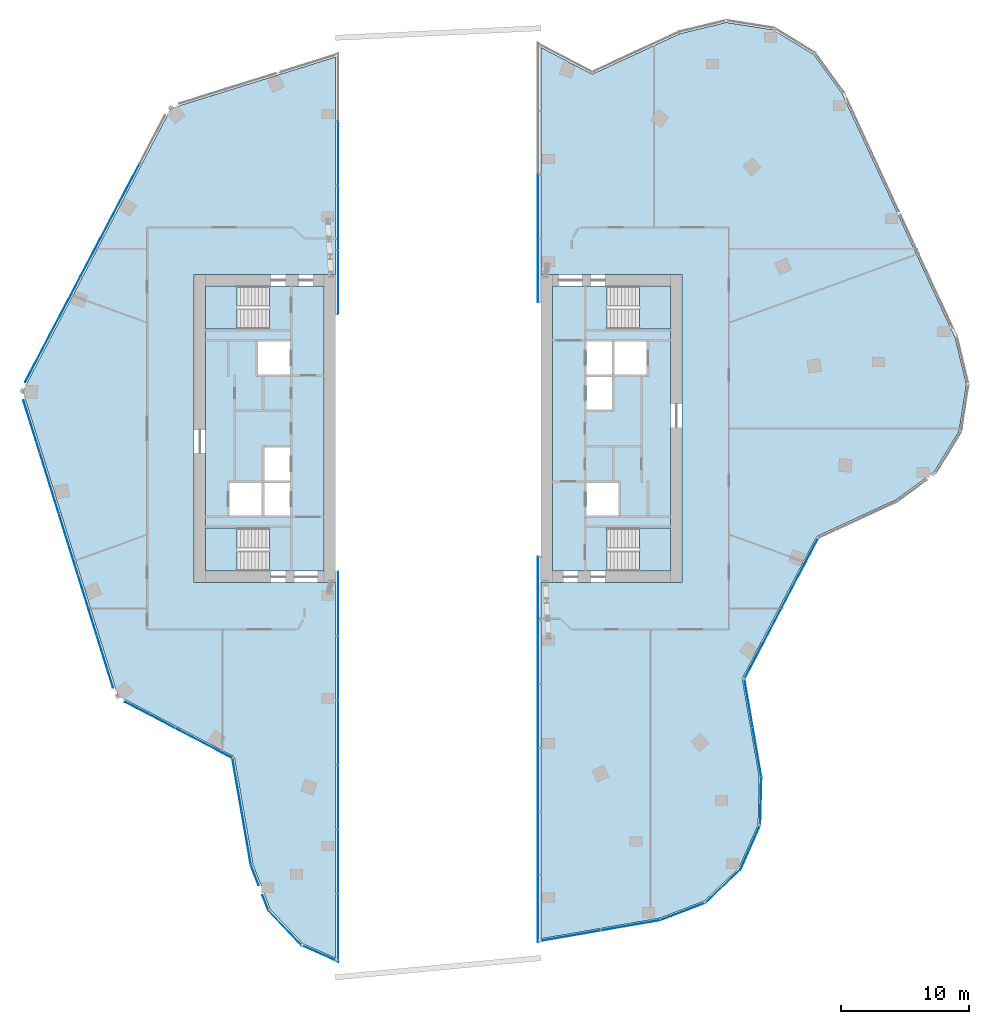
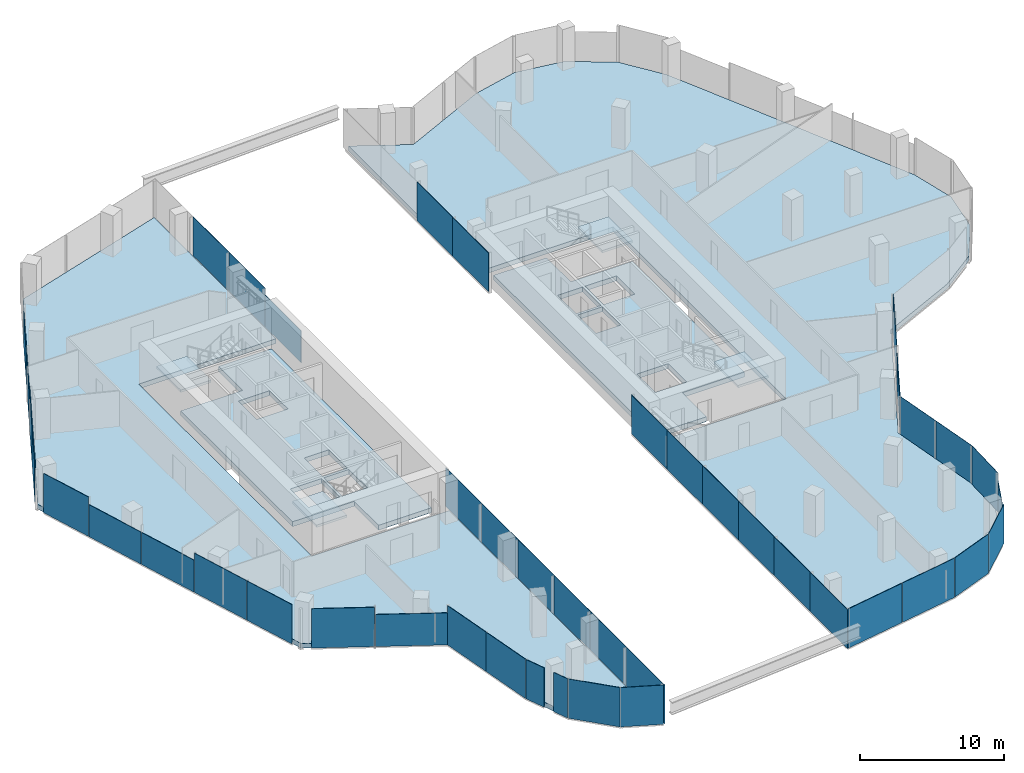
# One storey, part 18 of 24: 44 plates, 8 slabs, 20 elements without a shape of their own.
"""IFC4 building model written with IfcOpenShell, lengths in metres."""

import ifcopenshell
import ifcopenshell.guid

model = None  # the IFC model being written
_history = None  # IfcOwnerHistory: only IFC2X3 demands one
_inside = {}  # id of a spatial element -> (the spatial element, [elements in it])
_under = {}  # id of a project, library or spatial element -> (it, [spatial elements below it])
_declared = {}  # id of a project -> (the project, [libraries it declares])
_typed = {}  # id of a type object -> (the type object, [elements of that type])
_made_of = {}  # id of a material, layer set ... -> (it, [elements and type objects made of it])


def new_model(schema):
    """Start an empty IFC model of exactly this schema.

    Asked for "IFC4X3", IfcOpenShell would pick the latest addendum, in which some entities
    have other attributes; the version numbers below select the first issue.
    IFC2X3 requires an IfcOwnerHistory on every rooted entity: one is made here for all.
    """
    global model, _history
    if schema == "IFC4X3":
        model = ifcopenshell.file(schema_version=(4, 3, 0, 0))
    else:
        model = ifcopenshell.file(schema=schema)
    _inside.clear()
    _under.clear()
    _declared.clear()
    _typed.clear()
    _made_of.clear()
    _history = None
    if model.schema == "IFC2X3":
        org = make("IfcOrganization", Name="unknown")
        user = make(
            "IfcPersonAndOrganization",
            ThePerson=make("IfcPerson", FamilyName="unknown"),
            TheOrganization=org,
        )
        app = make(
            "IfcApplication",
            ApplicationDeveloper=org,
            Version="unknown",
            ApplicationFullName="unknown",
            ApplicationIdentifier="unknown",
        )
        _history = make(
            "IfcOwnerHistory",
            OwningUser=user,
            OwningApplication=app,
            ChangeAction="ADDED",
            CreationDate=0,
        )
    return model


def make(cls, **values):
    """One entity of the class cls with the attributes given. An attribute that is None is left unset."""
    return model.create_entity(
        cls, **{name: value for name, value in values.items() if value is not None}
    )


def rooted(cls, **values):
    """An entity with a GlobalId (a new one), such as an element, a storey or a relation."""
    return make(cls, GlobalId=ifcopenshell.guid.new(), OwnerHistory=_history, **values)


def si_unit(unit_type, name, prefix=None):
    """IfcSIUnit, for example si_unit("LENGTHUNIT", "METRE", prefix="MILLI")."""
    return make("IfcSIUnit", UnitType=unit_type, Prefix=prefix, Name=name)


def assignment(units):
    """IfcUnitAssignment: the units of a project."""
    return None if units is None else make("IfcUnitAssignment", Units=units)


def point(xyz):
    """IfcCartesianPoint."""
    return None if xyz is None else make("IfcCartesianPoint", Coordinates=xyz)


def direction(xyz):
    """IfcDirection."""
    return None if xyz is None else make("IfcDirection", DirectionRatios=xyz)


def frame(location, z_axis=None, x_axis=None):
    """IfcAxis2Placement3D, a coordinate frame: its origin and axes. An axis left out is left unset."""
    return make(
        "IfcAxis2Placement3D",
        Location=point(location),
        Axis=direction(z_axis),
        RefDirection=direction(x_axis),
    )


def frame_2d(location, x_axis=None):
    """IfcAxis2Placement2D, a coordinate frame in the plane: its origin and x axis."""
    return make(
        "IfcAxis2Placement2D", Location=point(location), RefDirection=direction(x_axis)
    )


def origin():
    """The frame at (0, 0, 0) with its axes left unset."""
    return frame((0.0, 0.0, 0.0))


def origin_2d():
    """The frame at (0, 0) in the plane with its x axis left unset."""
    return frame_2d((0.0, 0.0))


def place(relative_to, where):
    """IfcLocalPlacement: puts the frame where relative to a parent placement (None: the world)."""
    return make(
        "IfcLocalPlacement", PlacementRelTo=relative_to, RelativePlacement=where
    )


def context(
    kind, dimensions, precision=None, world=None, true_north=None, identifier=None
):
    """IfcGeometricRepresentationContext, for example the 3D "Model" context."""
    return make(
        "IfcGeometricRepresentationContext",
        ContextIdentifier=identifier,
        ContextType=kind,
        CoordinateSpaceDimension=dimensions,
        Precision=precision,
        WorldCoordinateSystem=world,
        TrueNorth=true_north,
    )


def subcontext(parent, identifier, kind, view, scale=None):
    """IfcGeometricRepresentationSubContext, for example "Body" below "Model"."""
    return make(
        "IfcGeometricRepresentationSubContext",
        ContextIdentifier=identifier,
        ContextType=kind,
        ParentContext=parent,
        TargetScale=scale,
        TargetView=view,
    )


def project(units=None, contexts=None):
    """IfcProject with its units and contexts."""
    return rooted(
        "IfcProject",
        Name="project",
        RepresentationContexts=contexts,
        UnitsInContext=assignment(units),
    )


def spatial(cls, under=None, at=None, **own):
    """A site, building, storey or space (cls), placed at a placement, below another one or the project."""
    s = rooted(cls, ObjectPlacement=at, **own)
    if under is not None:
        _under.setdefault(under.id(), (under, []))[1].append(s)
    return s


def polyline(points):
    """IfcPolyline through the points."""
    return make("IfcPolyline", Points=[point(p) for p in points])


def profile(cls, at=None, kind="AREA", **sizes):
    """A parametric profile (cls). Its sizes go by their IFC names, for example OverallWidth=200.0."""
    return make(cls, ProfileType=kind, Position=at, **sizes)


def rectangle(**sizes):
    """IfcRectangleProfileDef."""
    return profile("IfcRectangleProfileDef", **sizes)


def outline(outer, holes=None, kind="AREA"):
    """IfcArbitraryClosedProfileDef: a profile drawn as a closed curve; with holes, ...WithVoids."""
    if holes is None:
        return make("IfcArbitraryClosedProfileDef", ProfileType=kind, OuterCurve=outer)
    return make(
        "IfcArbitraryProfileDefWithVoids",
        ProfileType=kind,
        OuterCurve=outer,
        InnerCurves=holes,
    )


def extrude(swept, where, along, depth):
    """IfcExtrudedAreaSolid: the profile swept, set in the frame where, extruded along a direction by depth."""
    return make(
        "IfcExtrudedAreaSolid",
        SweptArea=swept,
        Position=where,
        ExtrudedDirection=direction(along),
        Depth=depth,
    )


def shape(context_of_items, identifier, shape_type, items):
    """IfcShapeRepresentation: the items that make up one representation, for example the "Body"."""
    return make(
        "IfcShapeRepresentation",
        ContextOfItems=context_of_items,
        RepresentationIdentifier=identifier,
        RepresentationType=shape_type,
        Items=items,
    )


def material(Name=None, Category=None):
    """IfcMaterial."""
    return make("IfcMaterial", Name=Name, Category=Category)


def layer(
    of_material, thickness, ventilated=None, Name=None, Category=None, Priority=None
):
    """IfcMaterialLayer: one layer of a wall or slab, of a material (None: an air gap)."""
    return make(
        "IfcMaterialLayer",
        Material=of_material,
        LayerThickness=thickness,
        IsVentilated=ventilated,
        Name=Name,
        Category=Category,
        Priority=Priority,
    )


def layer_set(layers, Name=None):
    """IfcMaterialLayerSet."""
    return make("IfcMaterialLayerSet", MaterialLayers=layers, LayerSetName=Name)


def made_of(thing, what):
    """Note that an element or type object is made of a material, layer set ...; save() writes the relation."""
    if what is not None:
        _made_of.setdefault(what.id(), (what, []))[1].append(thing)
    return thing


def type_object(cls, material=None, **own):
    """A type object (cls), such as IfcWallType, which elements share."""
    return made_of(rooted(cls, **own), material)


def element(
    cls,
    number,
    at=None,
    inside=None,
    cuts=None,
    type_object=None,
    material=None,
    context=None,
    identifier="Body",
    shape_type=None,
    held_by="IfcProductDefinitionShape",
    body=None,
    shapes=None,
    **own,
):
    """One element of the class cls, such as IfcWall. Its Tag is "e" and its number.

    at: its placement. inside: the storey or other place that contains it. cuts: it is an
    opening in that element (IfcRelVoidsElement). A single representation is given by context,
    identifier, shape_type and body (its items); several are given by shapes. held_by: the class
    of the entity that holds the representations. save() writes the other relations.
    """
    e = rooted(cls, Tag="e%d" % number, ObjectPlacement=at, **own)
    if body is not None:
        shapes = [shape(context, identifier, shape_type, body)]
    if shapes is not None:
        e.Representation = make(held_by, Representations=shapes)
    if inside is not None:
        _inside.setdefault(inside.id(), (inside, []))[1].append(e)
    if cuts is not None:
        rooted(
            "IfcRelVoidsElement", RelatingBuildingElement=cuts, RelatedOpeningElement=e
        )
    if type_object is not None:
        _typed.setdefault(type_object.id(), (type_object, []))[1].append(e)
    return made_of(e, material)


def aggregate(whole, parts):
    """IfcRelAggregates: a whole, such as a stair, and the parts it consists of."""
    return rooted("IfcRelAggregates", RelatingObject=whole, RelatedObjects=parts)


def save(model, path):
    """Write the relations noted so far, then the file.

    IfcRelAggregates (storeys below a building ...), IfcRelContainedInSpatialStructure (elements
    in a storey), IfcRelDefinesByType, IfcRelAssociatesMaterial and IfcRelDeclares: one each for
    every whole, place, type object, material and project.
    """
    for whole, parts in _under.values():
        aggregate(whole, parts)
    for where, things in _inside.values():
        rooted(
            "IfcRelContainedInSpatialStructure",
            RelatedElements=things,
            RelatingStructure=where,
        )
    for kind, things in _typed.values():
        rooted("IfcRelDefinesByType", RelatedObjects=things, RelatingType=kind)
    for what, things in _made_of.values():
        rooted("IfcRelAssociatesMaterial", RelatedObjects=things, RelatingMaterial=what)
    for by, libraries in _declared.values():
        rooted("IfcRelDeclares", RelatingContext=by, RelatedDefinitions=libraries)
    model.write(path)


model = new_model("IFC4")

# Units and contexts
model_context = context("Model", 3, precision=1e-05, world=origin(), true_north=direction((0.0, 1.0)))
body_context = subcontext(model_context, "Body", "Model", "MODEL_VIEW")
ifc_project = project(units=[si_unit("LENGTHUNIT", "METRE"), si_unit("AREAUNIT", "SQUARE_METRE"), si_unit("VOLUMEUNIT", "CUBIC_METRE"), si_unit("PLANEANGLEUNIT", "RADIAN"), si_unit("MASSUNIT", "GRAM", prefix="KILO")], contexts=[model_context])

# Site, building, storey
site_placement = place(None, origin())
site = spatial("IfcSite", under=ifc_project, at=site_placement, CompositionType="ELEMENT")
building_placement = place(site_placement, origin())
building = spatial("IfcBuilding", under=site, at=building_placement, Name="Orlundy Tower", CompositionType="ELEMENT")
storey_placement = place(building_placement, frame((0.0, 0.0, 267.5)))
storey = spatial("IfcBuildingStorey", under=building, at=storey_placement, Name="L71", CompositionType="ELEMENT", Elevation=267.5)

# Curtain wall, plates
ifc_material_1 = material(Name="Aluminium bronze anodised", Category="aluminium")
curtain_wall_type = type_object("IfcCurtainWallType", Name="CW1 wall", PredefinedType="NOTDEFINED", material=ifc_material_1)
curtain_wall_1_placement = place(storey_placement, origin())
curtain_wall_1 = element("IfcCurtainWall", 1, at=curtain_wall_1_placement, inside=storey, type_object=curtain_wall_type, Name="CW1 run 00", PredefinedType="NOTDEFINED")
ifc_material_2 = material(Name="Tinted glass", Category="glass")
ifc_layer_1 = layer(ifc_material_2, 0.031982421875)
ifc_layer_set_1 = layer_set([ifc_layer_1], Name="CW1 glass panel 32")
plate_type_1 = type_object("IfcPlateType", Name="CW1 glass panel 32", PredefinedType="CURTAIN_PANEL", material=ifc_layer_set_1)
plate_1_placement = place(storey_placement, frame((-18.236328125, -24.4970703125, -0.280029296875), z_axis=(0.0, 0.0, 1.0), x_axis=(-0.885665125804, 0.464324546988, 0.0)))
plate_1 = element("IfcPlate", 2, at=plate_1_placement, type_object=plate_type_1, Name="CW1 panel", PredefinedType="CURTAIN_PANEL", context=body_context, shape_type="SweptSolid", body=[
    extrude(rectangle(XDim=5.01220703125, YDim=0.031982421875, at=origin_2d()), origin(), (0.0, 0.0, 1.0), 2.7138671875),
])
plate_2_placement = place(storey_placement, frame((-22.4384765625, -22.2939453125, -0.280029296875), z_axis=(0.0, 0.0, 1.0), x_axis=(-0.885665125804, 0.464324546988, 0.0)))
plate_2 = element("IfcPlate", 3, at=plate_2_placement, type_object=plate_type_1, Name="CW1 panel", PredefinedType="CURTAIN_PANEL", context=body_context, shape_type="SweptSolid", body=[
    extrude(rectangle(XDim=4.376953125, YDim=0.031982421875, at=origin_2d()), origin(), (0.0, 0.0, 1.0), 3.330078125),
])
aggregate(curtain_wall_1, [plate_1, plate_2])

curtain_wall_2_placement = place(storey_placement, origin())
curtain_wall_2 = element("IfcCurtainWall", 4, at=curtain_wall_2_placement, inside=storey, type_object=curtain_wall_type, Name="CW1 run 01", PredefinedType="NOTDEFINED")
plate_3_placement = place(storey_placement, frame((-25.935302734375, -18.14599609375, -0.280029296875), z_axis=(0.0, 0.0, 1.0), x_axis=(-0.297954226643, 0.954580158408, 0.0)))
plate_3 = element("IfcPlate", 5, at=plate_3_placement, type_object=plate_type_1, Name="CW1 panel", PredefinedType="CURTAIN_PANEL", context=body_context, shape_type="SweptSolid", body=[
    extrude(rectangle(XDim=4.228271484375, YDim=0.031982421875, at=origin_2d()), origin(), (0.0, 0.0, 1.0), 3.330078125),
])
plate_4_placement = place(storey_placement, frame((-27.31298828125, -13.731689453125, -0.280029296875), z_axis=(0.0, 0.0, 1.0), x_axis=(-0.297954226643, 0.954580158408, 0.0)))
plate_4 = element("IfcPlate", 6, at=plate_4_placement, type_object=plate_type_1, Name="CW1 panel", PredefinedType="CURTAIN_PANEL", context=body_context, shape_type="SweptSolid", body=[
    extrude(rectangle(XDim=4.920654296875, YDim=0.031982421875, at=origin_2d()), origin(), (0.0, 0.0, 1.0), 3.330078125),
])
plate_5_placement = place(storey_placement, frame((-28.7939453125, -8.98681640625, -0.280029296875), z_axis=(0.0, 0.0, 1.0), x_axis=(-0.297954226643, 0.954580158408, 0.0)))
plate_5 = element("IfcPlate", 7, at=plate_5_placement, type_object=plate_type_1, Name="CW1 panel", PredefinedType="CURTAIN_PANEL", context=body_context, shape_type="SweptSolid", body=[
    extrude(rectangle(XDim=4.920654296875, YDim=0.031982421875, at=origin_2d()), origin(), (0.0, 0.0, 1.0), 2.7138671875),
])
plate_6_placement = place(storey_placement, frame((-30.275146484375, -4.241943359375, -0.280029296875), z_axis=(0.0, 0.0, 1.0), x_axis=(-0.297954226643, 0.954580158408, 0.0)))
plate_6 = element("IfcPlate", 8, at=plate_6_placement, type_object=plate_type_1, Name="CW1 panel", PredefinedType="CURTAIN_PANEL", context=body_context, shape_type="SweptSolid", body=[
    extrude(rectangle(XDim=4.920654296875, YDim=0.031982421875, at=origin_2d()), origin(), (0.0, 0.0, 1.0), 2.7138671875),
])
plate_7_placement = place(storey_placement, frame((-31.653076171875, 0.1728515625, -0.280029296875), z_axis=(0.0, 0.0, 1.0), x_axis=(-0.297954226643, 0.954580158408, 0.0)))
plate_7 = element("IfcPlate", 9, at=plate_7_placement, type_object=plate_type_1, Name="CW1 panel", PredefinedType="CURTAIN_PANEL", context=body_context, shape_type="SweptSolid", body=[
    extrude(rectangle(XDim=4.229248046875, YDim=0.031982421875, at=origin_2d()), origin(), (0.0, 0.0, 1.0), 3.330078125),
])
aggregate(curtain_wall_2, [plate_3, plate_4, plate_5, plate_6, plate_7])

curtain_wall_3_placement = place(storey_placement, origin())
curtain_wall_3 = element("IfcCurtainWall", 10, at=curtain_wall_3_placement, inside=storey, type_object=curtain_wall_type, Name="CW1 run 02", PredefinedType="NOTDEFINED")
plate_8_placement = place(storey_placement, frame((-31.17041015625, 5.5078125, -0.280029296875), z_axis=(0.0, 0.0, 1.0), x_axis=(0.464336233904, 0.885658998646, 0.0)))
plate_8 = element("IfcPlate", 11, at=plate_8_placement, type_object=plate_type_1, Name="CW1 panel", PredefinedType="CURTAIN_PANEL", context=body_context, shape_type="SweptSolid", body=[
    extrude(rectangle(XDim=4.228271484375, YDim=0.031982421875, at=origin_2d()), origin(), (0.0, 0.0, 1.0), 3.330078125),
])
plate_9_placement = place(storey_placement, frame((-29.023193359375, 9.603515625, -0.280029296875), z_axis=(0.0, 0.0, 1.0), x_axis=(0.464336233904, 0.885658998646, 0.0)))
plate_9 = element("IfcPlate", 12, at=plate_9_placement, type_object=plate_type_1, Name="CW1 panel", PredefinedType="CURTAIN_PANEL", context=body_context, shape_type="SweptSolid", body=[
    extrude(rectangle(XDim=4.920654296875, YDim=0.031982421875, at=origin_2d()), origin(), (0.0, 0.0, 1.0), 3.330078125),
])
plate_10_placement = place(storey_placement, frame((-26.71533203125, 14.005615234375, -0.280029296875), z_axis=(0.0, 0.0, 1.0), x_axis=(0.464336233904, 0.885658998646, 0.0)))
plate_10 = element("IfcPlate", 13, at=plate_10_placement, type_object=plate_type_1, Name="CW1 panel", PredefinedType="CURTAIN_PANEL", context=body_context, shape_type="SweptSolid", body=[
    extrude(rectangle(XDim=4.920654296875, YDim=0.031982421875, at=origin_2d()), origin(), (0.0, 0.0, 1.0), 2.7138671875),
])
plate_11_placement = place(storey_placement, frame((-24.4072265625, 18.407958984375, -0.280029296875), z_axis=(0.0, 0.0, 1.0), x_axis=(0.464336233904, 0.885658998646, 0.0)))
plate_11 = element("IfcPlate", 14, at=plate_11_placement, type_object=plate_type_1, Name="CW1 panel", PredefinedType="CURTAIN_PANEL", context=body_context, shape_type="SweptSolid", body=[
    extrude(rectangle(XDim=4.920654296875, YDim=0.031982421875, at=origin_2d()), origin(), (0.0, 0.0, 1.0), 2.7138671875),
])
aggregate(curtain_wall_3, [plate_8, plate_9, plate_10, plate_11])

# Curtain wall, plate
curtain_wall_4_placement = place(storey_placement, origin())
curtain_wall_4 = element("IfcCurtainWall", 15, at=curtain_wall_4_placement, inside=storey, type_object=curtain_wall_type, Name="CW1 run 06", PredefinedType="NOTDEFINED")
plate_12_placement = place(storey_placement, frame((-11.919677734375, -38.87451171875, -0.280029296875), z_axis=(0.0, 0.0, 1.0), x_axis=(-0.689493494749, 0.724291875351, 0.0)))
plate_12 = element("IfcPlate", 16, at=plate_12_placement, type_object=plate_type_1, Name="CW1 panel", PredefinedType="CURTAIN_PANEL", context=body_context, shape_type="SweptSolid", body=[
    extrude(rectangle(XDim=3.772216796875, YDim=0.031982421875, at=origin_2d()), origin(), (0.0, 0.0, 1.0), 3.330078125),
])
aggregate(curtain_wall_4, [plate_12])

# Curtain wall, plates
curtain_wall_5_placement = place(storey_placement, origin())
curtain_wall_5 = element("IfcCurtainWall", 17, at=curtain_wall_5_placement, inside=storey, type_object=curtain_wall_type, Name="CW1 run 07", PredefinedType="NOTDEFINED")
plate_13_placement = place(storey_placement, frame((-13.44482421875, -36.92578125, -0.280029296875), z_axis=(0.0, 0.0, 1.0), x_axis=(-0.359593615358, 0.933109013885, 0.0)))
plate_13 = element("IfcPlate", 18, at=plate_13_placement, type_object=plate_type_1, Name="CW1 panel", PredefinedType="CURTAIN_PANEL", context=body_context, shape_type="SweptSolid", body=[
    extrude(rectangle(XDim=1.2490234375, YDim=0.031982421875, at=origin_2d()), origin(), (0.0, 0.0, 1.0), 3.330078125),
])
plate_14_placement = place(storey_placement, frame((-14.267822265625, -34.7900390625, -0.280029296875), z_axis=(0.0, 0.0, 1.0), x_axis=(-0.359593615358, 0.933109013885, 0.0)))
plate_14 = element("IfcPlate", 19, at=plate_14_placement, type_object=plate_type_1, Name="CW1 panel", PredefinedType="CURTAIN_PANEL", context=body_context, shape_type="SweptSolid", body=[
    extrude(rectangle(XDim=1.634521484375, YDim=0.031982421875, at=origin_2d()), origin(), (0.0, 0.0, 1.0), 3.330078125),
])
aggregate(curtain_wall_5, [plate_13, plate_14])

curtain_wall_6_placement = place(storey_placement, origin())
curtain_wall_6 = element("IfcCurtainWall", 20, at=curtain_wall_6_placement, inside=storey, type_object=curtain_wall_type, Name="CW1 run 08", PredefinedType="NOTDEFINED")
plate_15_placement = place(storey_placement, frame((-14.9365234375, -31.89404296875, -0.280029296875), z_axis=(0.0, 0.0, 1.0), x_axis=(-0.170762449807, 0.985312227538, 0.0)))
plate_15 = element("IfcPlate", 21, at=plate_15_placement, type_object=plate_type_1, Name="CW1 panel", PredefinedType="CURTAIN_PANEL", context=body_context, shape_type="SweptSolid", body=[
    extrude(rectangle(XDim=4.232177734375, YDim=0.031982421875, at=origin_2d()), origin(), (0.0, 0.0, 1.0), 3.330078125),
])
plate_16_placement = place(storey_placement, frame((-15.66162109375, -27.710205078125, -0.280029296875), z_axis=(0.0, 0.0, 1.0), x_axis=(-0.170762449807, 0.985312227538, 0.0)))
plate_16 = element("IfcPlate", 22, at=plate_16_placement, type_object=plate_type_1, Name="CW1 panel", PredefinedType="CURTAIN_PANEL", context=body_context, shape_type="SweptSolid", body=[
    extrude(rectangle(XDim=4.160400390625, YDim=0.031982421875, at=origin_2d()), origin(), (0.0, 0.0, 1.0), 3.330078125),
])
aggregate(curtain_wall_6, [plate_15, plate_16])

curtain_wall_7_placement = place(storey_placement, origin())
curtain_wall_7 = element("IfcCurtainWall", 23, at=curtain_wall_7_placement, inside=storey, type_object=curtain_wall_type, Name="CW1 run 111", PredefinedType="NOTDEFINED")
plate_17_placement = place(storey_placement, frame((28.15771484375, -11.25439453125, -0.280029296875), z_axis=(0.0, 0.0, 1.0), x_axis=(-0.464333145939, -0.885660617608, 0.0)))
plate_17 = element("IfcPlate", 24, at=plate_17_placement, type_object=plate_type_1, Name="CW1 panel", PredefinedType="CURTAIN_PANEL", context=body_context, shape_type="SweptSolid", body=[
    extrude(rectangle(XDim=6.16259765625, YDim=0.031982421875, at=origin_2d()), origin(), (0.0, 0.0, 1.0), 3.330078125),
])
plate_18_placement = place(storey_placement, frame((25.27294921875, -16.7568359375, -0.280029296875), z_axis=(0.0, 0.0, 1.0), x_axis=(-0.464333145939, -0.885660617608, 0.0)))
plate_18 = element("IfcPlate", 25, at=plate_18_placement, type_object=plate_type_1, Name="CW1 panel", PredefinedType="CURTAIN_PANEL", context=body_context, shape_type="SweptSolid", body=[
    extrude(rectangle(XDim=6.16259765625, YDim=0.031982421875, at=origin_2d()), origin(), (0.0, 0.0, 1.0), 2.7138671875),
])
aggregate(curtain_wall_7, [plate_17, plate_18])

curtain_wall_8_placement = place(storey_placement, origin())
curtain_wall_8 = element("IfcCurtainWall", 26, at=curtain_wall_8_placement, inside=storey, type_object=curtain_wall_type, Name="CW1 run 112", PredefinedType="NOTDEFINED")
plate_19_placement = place(storey_placement, frame((24.16748046875, -21.363525390625, -0.280029296875), z_axis=(0.0, 0.0, 1.0), x_axis=(0.170728522047, -0.985318106887, 0.0)))
plate_19 = element("IfcPlate", 27, at=plate_19_placement, type_object=plate_type_1, Name="CW1 panel", PredefinedType="CURTAIN_PANEL", context=body_context, shape_type="SweptSolid", body=[
    extrude(rectangle(XDim=3.8115234375, YDim=0.031982421875, at=origin_2d()), origin(), (0.0, 0.0, 1.0), 3.330078125),
])
plate_20_placement = place(storey_placement, frame((24.830810546875, -25.19140625, -0.280029296875), z_axis=(0.0, 0.0, 1.0), x_axis=(0.170728522047, -0.985318106887, 0.0)))
plate_20 = element("IfcPlate", 28, at=plate_20_placement, type_object=plate_type_1, Name="CW1 panel", PredefinedType="CURTAIN_PANEL", context=body_context, shape_type="SweptSolid", body=[
    extrude(rectangle(XDim=3.858154296875, YDim=0.031982421875, at=origin_2d()), origin(), (0.0, 0.0, 1.0), 3.330078125),
])
aggregate(curtain_wall_8, [plate_19, plate_20])

# Curtain wall, plate
curtain_wall_9_placement = place(storey_placement, origin())
curtain_wall_9 = element("IfcCurtainWall", 29, at=curtain_wall_9_placement, inside=storey, type_object=curtain_wall_type, Name="CW1 run 113", PredefinedType="NOTDEFINED")
plate_21_placement = place(storey_placement, frame((25.117919921875, -29.00634765625, -0.280029296875), z_axis=(0.0, 0.0, 1.0), x_axis=(-0.024553998372, -0.999698505132, 0.0)))
plate_21 = element("IfcPlate", 30, at=plate_21_placement, type_object=plate_type_1, Name="CW1 panel", PredefinedType="CURTAIN_PANEL", context=body_context, shape_type="SweptSolid", body=[
    extrude(rectangle(XDim=3.729736328125, YDim=0.031982421875, at=origin_2d()), origin(), (0.0, 0.0, 1.0), 3.330078125),
])
aggregate(curtain_wall_9, [plate_21])

curtain_wall_10_placement = place(storey_placement, origin())
curtain_wall_10 = element("IfcCurtainWall", 31, at=curtain_wall_10_placement, inside=storey, type_object=curtain_wall_type, Name="CW1 run 114", PredefinedType="NOTDEFINED")
plate_22_placement = place(storey_placement, frame((24.307373046875, -32.594970703125, -0.280029296875), z_axis=(0.0, 0.0, 1.0), x_axis=(-0.405412554633, -0.914133830763, 0.0)))
plate_22 = element("IfcPlate", 32, at=plate_22_placement, type_object=plate_type_1, Name="CW1 panel", PredefinedType="CURTAIN_PANEL", context=body_context, shape_type="SweptSolid", body=[
    extrude(rectangle(XDim=3.772705078125, YDim=0.031982421875, at=origin_2d()), origin(), (0.0, 0.0, 1.0), 2.7138671875),
])
aggregate(curtain_wall_10, [plate_22])

curtain_wall_11_placement = place(storey_placement, origin())
curtain_wall_11 = element("IfcCurtainWall", 33, at=curtain_wall_11_placement, inside=storey, type_object=curtain_wall_type, Name="CW1 run 115", PredefinedType="NOTDEFINED")
plate_23_placement = place(storey_placement, frame((22.176513671875, -35.619384765625, -0.280029296875), z_axis=(0.0, 0.0, 1.0), x_axis=(-0.7244266007, -0.689351942188, 0.0)))
plate_23 = element("IfcPlate", 34, at=plate_23_placement, type_object=plate_type_1, Name="CW1 panel", PredefinedType="CURTAIN_PANEL", context=body_context, shape_type="SweptSolid", body=[
    extrude(rectangle(XDim=3.771728515625, YDim=0.031982421875, at=origin_2d()), origin(), (0.0, 0.0, 1.0), 3.330078125),
])
aggregate(curtain_wall_11, [plate_23])

curtain_wall_12_placement = place(storey_placement, origin())
curtain_wall_12 = element("IfcCurtainWall", 35, at=curtain_wall_12_placement, inside=storey, type_object=curtain_wall_type, Name="CW1 run 116", PredefinedType="NOTDEFINED")
plate_24_placement = place(storey_placement, frame((19.06982421875, -37.590576171875, -0.280029296875), z_axis=(0.0, 0.0, 1.0), x_axis=(-0.933018476944, -0.359828461467, 0.0)))
plate_24 = element("IfcPlate", 36, at=plate_24_placement, type_object=plate_type_1, Name="CW1 panel", PredefinedType="CURTAIN_PANEL", context=body_context, shape_type="SweptSolid", body=[
    extrude(rectangle(XDim=3.73095703125, YDim=0.031982421875, at=origin_2d()), origin(), (0.0, 0.0, 1.0), 3.330078125),
])
aggregate(curtain_wall_12, [plate_24])

curtain_wall_13_placement = place(storey_placement, origin())
curtain_wall_13 = element("IfcCurtainWall", 37, at=curtain_wall_13_placement, inside=storey, type_object=curtain_wall_type, Name="CW1 run 117", PredefinedType="NOTDEFINED")
plate_25_placement = place(storey_placement, frame((14.982421875, -38.673583984375, -0.280029296875), z_axis=(0.0, 0.0, 1.0), x_axis=(-0.985315418883, -0.170744034483, 0.0)))
plate_25 = element("IfcPlate", 38, at=plate_25_placement, type_object=plate_type_1, Name="CW1 panel", PredefinedType="CURTAIN_PANEL", context=body_context, shape_type="SweptSolid", body=[
    extrude(rectangle(XDim=4.666015625, YDim=0.031982421875, at=origin_2d()), origin(), (0.0, 0.0, 1.0), 3.330078125),
])

curtain_wall_14_placement = place(storey_placement, origin())
curtain_wall_14 = element("IfcCurtainWall", 39, at=curtain_wall_14_placement, inside=storey, type_object=curtain_wall_type, Name="CW1 run 05", PredefinedType="NOTDEFINED")
ifc_material_3 = material(Name="Bronze aluminium spandrel", Category="aluminium")
ifc_layer_2 = layer(ifc_material_3, 0.031982421875)
ifc_layer_set_2 = layer_set([ifc_layer_2], Name="CW1 spandrel panel 32")
plate_type_2 = type_object("IfcPlateType", Name="CW1 spandrel panel 32", PredefinedType="CURTAIN_PANEL", material=ifc_layer_set_2)
plate_26_placement = place(storey_placement, frame((-9.2275390625, -40.85791015625, -0.280029296875), z_axis=(0.0, 0.0, 1.0), x_axis=(-0.914125034719, 0.405432387581, 0.0)))
plate_26 = element("IfcPlate", 40, at=plate_26_placement, type_object=plate_type_2, Name="CW1 panel", PredefinedType="CURTAIN_PANEL", context=body_context, shape_type="SweptSolid", body=[
    extrude(rectangle(XDim=3.044677734375, YDim=0.031982421875, at=origin_2d()), origin(), (0.0, 0.0, 1.0), 3.330078125),
])
aggregate(curtain_wall_14, [plate_26])

# Plate
plate_27_placement = place(storey_placement, frame((10.235107421875, -39.49609375, -0.280029296875), z_axis=(0.0, 0.0, 1.0), x_axis=(-0.985315418883, -0.170744034483, 0.0)))
plate_27 = element("IfcPlate", 41, at=plate_27_placement, type_object=plate_type_2, Name="CW1 panel", PredefinedType="CURTAIN_PANEL", context=body_context, shape_type="SweptSolid", body=[
    extrude(rectangle(XDim=4.869873046875, YDim=0.031982421875, at=origin_2d()), origin(), (0.0, 0.0, 1.0), 3.330078125),
])

aggregate(curtain_wall_13, [plate_25, plate_27])

# Curtain wall, plates
curtain_wall_15_placement = place(storey_placement, origin())
curtain_wall_15 = element("IfcCurtainWall", 42, at=curtain_wall_15_placement, inside=storey, type_object=curtain_wall_type, Name="CW1 run 04", PredefinedType="NOTDEFINED")
ifc_material_4 = material(Name="Tinted glass", Category="glass")
ifc_layer_3 = layer(ifc_material_4, 0.035888671875)
ifc_layer_set_3 = layer_set([ifc_layer_3], Name="CW6 glass panel 36")
plate_type_3 = type_object("IfcPlateType", Name="CW6 glass panel 36", PredefinedType="CURTAIN_PANEL", material=ifc_layer_set_3)
plate_28_placement = place(storey_placement, frame((-7.778076171875, 21.41357421875, -0.239990234375), z_axis=(0.0, 0.0, 1.0), x_axis=(0.0, -1.0, 0.0)))
plate_28 = element("IfcPlate", 43, at=plate_28_placement, type_object=plate_type_3, Name="CW6 panel", PredefinedType="CURTAIN_PANEL", context=body_context, shape_type="SweptSolid", body=[
    extrude(rectangle(XDim=5.010986328125, YDim=0.035888671875, at=origin_2d()), origin(), (0.0, 0.0, 1.0), 3.2900390625),
])
plate_29_placement = place(storey_placement, frame((-7.778076171875, 16.402587890625, -0.239990234375), z_axis=(0.0, 0.0, 1.0), x_axis=(0.0, -1.0, 0.0)))
plate_29 = element("IfcPlate", 44, at=plate_29_placement, type_object=plate_type_3, Name="CW6 panel", PredefinedType="CURTAIN_PANEL", context=body_context, shape_type="SweptSolid", body=[
    extrude(rectangle(XDim=5.010986328125, YDim=0.035888671875, at=origin_2d()), origin(), (0.0, 0.0, 1.0), 3.2900390625),
])
plate_30_placement = place(storey_placement, frame((-7.778076171875, 11.391845703125, -0.240234375), z_axis=(0.0, 0.0, 1.0), x_axis=(0.0, -1.0, 0.0)))
plate_30 = element("IfcPlate", 45, at=plate_30_placement, type_object=plate_type_3, Name="CW6 panel", PredefinedType="CURTAIN_PANEL", context=body_context, shape_type="SweptSolid", body=[
    extrude(rectangle(XDim=5.010986328125, YDim=0.035888671875, at=origin_2d()), origin(), (0.0, 0.0, 1.0), 2.715576171875),
])
plate_31_placement = place(storey_placement, frame((-7.778076171875, -13.662841796875, -0.239990234375), z_axis=(0.0, 0.0, 1.0), x_axis=(0.0, -1.0, 0.0)))
plate_31 = element("IfcPlate", 46, at=plate_31_placement, type_object=plate_type_3, Name="CW6 panel", PredefinedType="CURTAIN_PANEL", context=body_context, shape_type="SweptSolid", body=[
    extrude(rectangle(XDim=5.010986328125, YDim=0.035888671875, at=origin_2d()), origin(), (0.0, 0.0, 1.0), 3.2900390625),
])
plate_32_placement = place(storey_placement, frame((-7.778076171875, -18.673828125, -0.239990234375), z_axis=(0.0, 0.0, 1.0), x_axis=(0.0, -1.0, 0.0)))
plate_32 = element("IfcPlate", 47, at=plate_32_placement, type_object=plate_type_3, Name="CW6 panel", PredefinedType="CURTAIN_PANEL", context=body_context, shape_type="SweptSolid", body=[
    extrude(rectangle(XDim=5.010986328125, YDim=0.035888671875, at=origin_2d()), origin(), (0.0, 0.0, 1.0), 3.2900390625),
])
plate_33_placement = place(storey_placement, frame((-7.778076171875, -23.684814453125, -0.239990234375), z_axis=(0.0, 0.0, 1.0), x_axis=(0.0, -1.0, 0.0)))
plate_33 = element("IfcPlate", 48, at=plate_33_placement, type_object=plate_type_3, Name="CW6 panel", PredefinedType="CURTAIN_PANEL", context=body_context, shape_type="SweptSolid", body=[
    extrude(rectangle(XDim=5.010986328125, YDim=0.035888671875, at=origin_2d()), origin(), (0.0, 0.0, 1.0), 3.2900390625),
])
plate_34_placement = place(storey_placement, frame((-7.778076171875, -28.695556640625, -0.239990234375), z_axis=(0.0, 0.0, 1.0), x_axis=(0.0, -1.0, 0.0)))
plate_34 = element("IfcPlate", 49, at=plate_34_placement, type_object=plate_type_3, Name="CW6 panel", PredefinedType="CURTAIN_PANEL", context=body_context, shape_type="SweptSolid", body=[
    extrude(rectangle(XDim=5.010986328125, YDim=0.035888671875, at=origin_2d()), origin(), (0.0, 0.0, 1.0), 3.2900390625),
])
plate_35_placement = place(storey_placement, frame((-7.778076171875, -33.70654296875, -0.239990234375), z_axis=(0.0, 0.0, 1.0), x_axis=(0.0, -1.0, 0.0)))
plate_35 = element("IfcPlate", 50, at=plate_35_placement, type_object=plate_type_3, Name="CW6 panel", PredefinedType="CURTAIN_PANEL", context=body_context, shape_type="SweptSolid", body=[
    extrude(rectangle(XDim=5.010986328125, YDim=0.035888671875, at=origin_2d()), origin(), (0.0, 0.0, 1.0), 3.2900390625),
])

curtain_wall_16_placement = place(storey_placement, origin())
curtain_wall_16 = element("IfcCurtainWall", 51, at=curtain_wall_16_placement, inside=storey, type_object=curtain_wall_type, Name="CW1 run 118", PredefinedType="NOTDEFINED")
plate_36_placement = place(storey_placement, frame((7.778076171875, -32.28173828125, -0.239990234375), z_axis=(0.0, 0.0, 1.0), x_axis=(0.0, 1.0, 0.0)))
plate_36 = element("IfcPlate", 52, at=plate_36_placement, type_object=plate_type_3, Name="CW6 panel", PredefinedType="CURTAIN_PANEL", context=body_context, shape_type="SweptSolid", body=[
    extrude(rectangle(XDim=4.956787109375, YDim=0.035888671875, at=origin_2d()), origin(), (0.0, 0.0, 1.0), 3.2900390625),
])
plate_37_placement = place(storey_placement, frame((7.778076171875, -27.324951171875, -0.239990234375), z_axis=(0.0, 0.0, 1.0), x_axis=(0.0, 1.0, 0.0)))
plate_37 = element("IfcPlate", 53, at=plate_37_placement, type_object=plate_type_3, Name="CW6 panel", PredefinedType="CURTAIN_PANEL", context=body_context, shape_type="SweptSolid", body=[
    extrude(rectangle(XDim=4.956787109375, YDim=0.035888671875, at=origin_2d()), origin(), (0.0, 0.0, 1.0), 3.2900390625),
])
plate_38_placement = place(storey_placement, frame((7.778076171875, -22.367919921875, -0.239990234375), z_axis=(0.0, 0.0, 1.0), x_axis=(0.0, 1.0, 0.0)))
plate_38 = element("IfcPlate", 54, at=plate_38_placement, type_object=plate_type_3, Name="CW6 panel", PredefinedType="CURTAIN_PANEL", context=body_context, shape_type="SweptSolid", body=[
    extrude(rectangle(XDim=4.956787109375, YDim=0.035888671875, at=origin_2d()), origin(), (0.0, 0.0, 1.0), 3.2900390625),
])
plate_39_placement = place(storey_placement, frame((7.778076171875, -17.4111328125, -0.239990234375), z_axis=(0.0, 0.0, 1.0), x_axis=(0.0, 1.0, 0.0)))
plate_39 = element("IfcPlate", 55, at=plate_39_placement, type_object=plate_type_3, Name="CW6 panel", PredefinedType="CURTAIN_PANEL", context=body_context, shape_type="SweptSolid", body=[
    extrude(rectangle(XDim=4.956787109375, YDim=0.035888671875, at=origin_2d()), origin(), (0.0, 0.0, 1.0), 3.2900390625),
])
plate_40_placement = place(storey_placement, frame((7.778076171875, 17.286865234375, -0.239990234375), z_axis=(0.0, 0.0, 1.0), x_axis=(0.0, 1.0, 0.0)))
plate_40 = element("IfcPlate", 56, at=plate_40_placement, type_object=plate_type_3, Name="CW6 panel", PredefinedType="CURTAIN_PANEL", context=body_context, shape_type="SweptSolid", body=[
    extrude(rectangle(XDim=4.956787109375, YDim=0.035888671875, at=origin_2d()), origin(), (0.0, 0.0, 1.0), 3.2900390625),
])

# Plate
ifc_material_5 = material(Name="Bronze aluminium spandrel", Category="aluminium")
ifc_layer_4 = layer(ifc_material_5, 0.035888671875)
ifc_layer_set_4 = layer_set([ifc_layer_4], Name="CW6 spandrel panel 36")
plate_type_4 = type_object("IfcPlateType", Name="CW6 spandrel panel 36", PredefinedType="CURTAIN_PANEL", material=ifc_layer_set_4)
plate_41_placement = place(storey_placement, frame((-7.778076171875, -38.88818359375, -0.239990234375), z_axis=(0.0, 0.0, 1.0), x_axis=(0.0, -1.0, 0.0)))
plate_41 = element("IfcPlate", 57, at=plate_41_placement, type_object=plate_type_4, Name="CW6 panel", PredefinedType="CURTAIN_PANEL", context=body_context, shape_type="SweptSolid", body=[
    extrude(rectangle(XDim=5.352294921875, YDim=0.035888671875, at=origin_2d()), origin(), (0.0, 0.0, 1.0), 3.2900390625),
])

aggregate(curtain_wall_15, [plate_28, plate_29, plate_30, plate_31, plate_32, plate_33, plate_34, plate_35, plate_41])

plate_42_placement = place(storey_placement, frame((7.778076171875, -37.370361328125, -0.239990234375), z_axis=(0.0, 0.0, 1.0), x_axis=(0.0, 1.0, 0.0)))
plate_42 = element("IfcPlate", 58, at=plate_42_placement, type_object=plate_type_4, Name="CW6 panel", PredefinedType="CURTAIN_PANEL", context=body_context, shape_type="SweptSolid", body=[
    extrude(rectangle(XDim=5.220703125, YDim=0.035888671875, at=origin_2d()), origin(), (0.0, 0.0, 1.0), 3.2900390625),
])

plate_43_placement = place(storey_placement, frame((7.778076171875, -12.454345703125, -0.239990234375), z_axis=(0.0, 0.0, 1.0), x_axis=(0.0, 1.0, 0.0)))
plate_43 = element("IfcPlate", 59, at=plate_43_placement, type_object=plate_type_4, Name="CW6 panel", PredefinedType="CURTAIN_PANEL", context=body_context, shape_type="SweptSolid", body=[
    extrude(rectangle(XDim=4.956787109375, YDim=0.035888671875, at=origin_2d()), origin(), (0.0, 0.0, 1.0), 3.2900390625),
])

plate_44_placement = place(storey_placement, frame((7.778076171875, 12.330078125, -0.239990234375), z_axis=(0.0, 0.0, 1.0), x_axis=(0.0, 1.0, 0.0)))
plate_44 = element("IfcPlate", 60, at=plate_44_placement, type_object=plate_type_4, Name="CW6 panel", PredefinedType="CURTAIN_PANEL", context=body_context, shape_type="SweptSolid", body=[
    extrude(rectangle(XDim=4.956787109375, YDim=0.035888671875, at=origin_2d()), origin(), (0.0, 0.0, 1.0), 3.2900390625),
])

aggregate(curtain_wall_16, [plate_42, plate_36, plate_37, plate_38, plate_39, plate_43, plate_44, plate_40])

# Slabs
ifc_material_6 = material(Name="Concrete C50/60", Category="concrete")
ifc_layer_5 = layer(ifc_material_6, 0.409912109375)
ifc_layer_set_5 = layer_set([ifc_layer_5], Name="Core Floor Slab 410")
slab_type_1 = type_object("IfcSlabType", Name="Core Floor Slab 410", PredefinedType="FLOOR", material=ifc_layer_set_5)
slab_1_placement = place(storey_placement, frame((0.0, 0.0, -0.409912109375)))
element("IfcSlab", 61, at=slab_1_placement, inside=storey, type_object=slab_type_1, Name="Core floor W53", PredefinedType="FLOOR", context=body_context, shape_type="SweptSolid", body=[
    extrude(outline(polyline([(-18.10009765625, 7.75), (-13.14501953125, 7.75), (-13.14501953125, 11.10009765625), (-8.89990234375, 11.10009765625), (-8.89990234375, -11.10009765625), (-13.14501953125, -11.10009765625), (-13.14501953125, -7.75), (-18.10009765625, -7.75), (-18.10009765625, 7.75)]), holes=[polyline([(-13.5400390625, -4.22509765625), (-13.5400390625, -6.77490234375), (-11.5400390625, -6.77490234375), (-11.5400390625, -4.22509765625), (-13.5400390625, -4.22509765625)]), polyline([(-13.739990234375, -4.22509765625), (-16.239990234375, -4.22509765625), (-16.239990234375, -6.77490234375), (-13.739990234375, -6.77490234375), (-13.739990234375, -4.22509765625)]), polyline([(-11.5400390625, -4.02490234375), (-11.5400390625, -1.47509765625), (-13.5400390625, -1.47509765625), (-13.5400390625, -4.02490234375), (-11.5400390625, -4.02490234375)]), polyline([(-14.0400390625, 4.22509765625), (-11.5400390625, 4.22509765625), (-11.5400390625, 6.77490234375), (-14.0400390625, 6.77490234375), (-14.0400390625, 4.22509765625)])]), origin(), (0.0, 0.0, 1.0), 0.409912109375),
])
slab_2_placement = place(storey_placement, frame((0.0, 0.0, -0.409912109375)))
element("IfcSlab", 62, at=slab_2_placement, inside=storey, type_object=slab_type_1, Name="Core floor E53", PredefinedType="FLOOR", context=body_context, shape_type="SweptSolid", body=[
    extrude(outline(polyline([(18.10009765625, -7.75), (13.14501953125, -7.75), (13.14501953125, -11.10009765625), (8.89990234375, -11.10009765625), (8.89990234375, 11.10009765625), (13.14501953125, 11.10009765625), (13.14501953125, 7.75), (18.10009765625, 7.75), (18.10009765625, -7.75)]), holes=[polyline([(13.5400390625, 4.22509765625), (13.5400390625, 6.77490234375), (11.5400390625, 6.77490234375), (11.5400390625, 4.22509765625), (13.5400390625, 4.22509765625)]), polyline([(13.739990234375, 4.22509765625), (16.239990234375, 4.22509765625), (16.239990234375, 6.77490234375), (13.739990234375, 6.77490234375), (13.739990234375, 4.22509765625)]), polyline([(11.5400390625, 4.02490234375), (11.5400390625, 1.47509765625), (13.5400390625, 1.47509765625), (13.5400390625, 4.02490234375), (11.5400390625, 4.02490234375)]), polyline([(14.0400390625, -4.22509765625), (11.5400390625, -4.22509765625), (11.5400390625, -6.77490234375), (14.0400390625, -6.77490234375), (14.0400390625, -4.22509765625)])]), origin(), (0.0, 0.0, 1.0), 0.409912109375),
])

# Stair, slab
ifc_material_7 = material(Name="Concrete C50/60", Category="concrete")
stair_type = type_object("IfcStairType", Name="Exit Stair 20 risers", PredefinedType="HALF_TURN_STAIR", material=ifc_material_7)
stair_1_placement = place(storey_placement, origin())
stair_1 = element("IfcStair", 63, at=stair_1_placement, inside=storey, type_object=stair_type, Name="L71 Exit Stair ST-W1", PredefinedType="HALF_TURN_STAIR")
ifc_material_8 = material(Name="Concrete C50/60", Category="concrete")
ifc_layer_6 = layer(ifc_material_8, 0.199951171875)
ifc_layer_set_6 = layer_set([ifc_layer_6], Name="Exit Stair Landing")
slab_type_2 = type_object("IfcSlabType", Name="Exit Stair Landing", PredefinedType="LANDING", material=ifc_layer_set_6)
slab_3_placement = place(storey_placement, frame((0.0, 0.0, 1.550048828125)))
slab_3 = element("IfcSlab", 64, at=slab_3_placement, type_object=slab_type_2, Name="ST-W1 landing 1", PredefinedType="LANDING", context=body_context, shape_type="SweptSolid", body=[
    extrude(outline(polyline([(-15.659912109375, 11.10009765625), (-18.10009765625, 11.10009765625), (-18.10009765625, 7.75), (-15.659912109375, 7.75), (-15.659912109375, 11.10009765625)])), origin(), (0.0, 0.0, 1.0), 0.199951171875),
])
aggregate(stair_1, [slab_3])

stair_2_placement = place(storey_placement, origin())
stair_2 = element("IfcStair", 65, at=stair_2_placement, inside=storey, type_object=stair_type, Name="L71 Exit Stair ST-W2", PredefinedType="HALF_TURN_STAIR")
slab_4_placement = place(storey_placement, frame((0.0, 0.0, 1.550048828125)))
slab_4 = element("IfcSlab", 66, at=slab_4_placement, type_object=slab_type_2, Name="ST-W2 landing 1", PredefinedType="LANDING", context=body_context, shape_type="SweptSolid", body=[
    extrude(outline(polyline([(-15.659912109375, -7.75), (-18.10009765625, -7.75), (-18.10009765625, -11.10009765625), (-15.659912109375, -11.10009765625), (-15.659912109375, -7.75)])), origin(), (0.0, 0.0, 1.0), 0.199951171875),
])
aggregate(stair_2, [slab_4])

stair_3_placement = place(storey_placement, origin())
stair_3 = element("IfcStair", 67, at=stair_3_placement, inside=storey, type_object=stair_type, Name="L71 Exit Stair ST-E1", PredefinedType="HALF_TURN_STAIR")
slab_5_placement = place(storey_placement, frame((0.0, 0.0, 1.550048828125)))
slab_5 = element("IfcSlab", 68, at=slab_5_placement, type_object=slab_type_2, Name="ST-E1 landing 1", PredefinedType="LANDING", context=body_context, shape_type="SweptSolid", body=[
    extrude(outline(polyline([(15.659912109375, -11.10009765625), (18.10009765625, -11.10009765625), (18.10009765625, -7.75), (15.659912109375, -7.75), (15.659912109375, -11.10009765625)])), origin(), (0.0, 0.0, 1.0), 0.199951171875),
])
aggregate(stair_3, [slab_5])

stair_4_placement = place(storey_placement, origin())
stair_4 = element("IfcStair", 69, at=stair_4_placement, inside=storey, type_object=stair_type, Name="L71 Exit Stair ST-E2", PredefinedType="HALF_TURN_STAIR")
slab_6_placement = place(storey_placement, frame((0.0, 0.0, 1.550048828125)))
slab_6 = element("IfcSlab", 70, at=slab_6_placement, type_object=slab_type_2, Name="ST-E2 landing 1", PredefinedType="LANDING", context=body_context, shape_type="SweptSolid", body=[
    extrude(outline(polyline([(15.659912109375, 7.75), (18.10009765625, 7.75), (18.10009765625, 11.10009765625), (15.659912109375, 11.10009765625), (15.659912109375, 7.75)])), origin(), (0.0, 0.0, 1.0), 0.199951171875),
])
aggregate(stair_4, [slab_6])

# Slabs
ifc_material_9 = material(Name="Concrete C45/55", Category="concrete")
ifc_layer_7 = layer(ifc_material_9, 0.39990234375)
ifc_layer_set_7 = layer_set([ifc_layer_7], Name="FLOOR SLAB THICK 400 C45/55")
slab_type_3 = type_object("IfcSlabType", Name="FLOOR SLAB THICK 400 C45/55", PredefinedType="FLOOR", material=ifc_layer_set_7)
slab_7_placement = place(storey_placement, frame((0.0, 0.0, -0.39990234375)))
element("IfcSlab", 71, at=slab_7_placement, inside=storey, type_object=slab_type_3, Name="Floor slab L71", PredefinedType="FLOOR", context=body_context, shape_type="SweptSolid", body=[
    extrude(outline(polyline([(-24.93505859375, -20.800048828125), (-32.340087890625, 2.924072265625), (-20.800048828125, 24.93505859375), (-8.0, 28.929931640625), (-8.0, 12.0), (-19.0, 12.0), (-19.0, -12.0), (-8.0, -12.0), (-8.0, -41.222900390625), (-10.52294921875, -40.10400390625), (-13.0791015625, -37.4189453125), (-14.412109375, -33.9599609375), (-15.868896484375, -25.552978515625), (-24.93505859375, -20.800048828125)])), origin(), (0.0, 0.0, 1.0), 0.39990234375),
])
slab_8_placement = place(storey_placement, frame((0.0, 0.0, -0.39990234375)))
element("IfcSlab", 72, at=slab_8_placement, inside=storey, type_object=slab_type_3, Name="Floor slab L71", PredefinedType="FLOOR", context=body_context, shape_type="SweptSolid", body=[
    extrude(outline(polyline([(18.825927734375, 30.75), (22.428955078125, 31.62109375), (26.091064453125, 31.0458984375), (29.2548828125, 29.114013671875), (31.43798828125, 26.117919921875), (40.257080078125, 7.06005859375), (41.1279296875, 3.45703125), (40.552978515625, -0.205078125), (38.62109375, -3.367919921875), (35.6259765625, -5.551025390625), (29.468994140625, -8.39990234375), (23.6708984375, -19.458984375), (25.0, -27.12890625), (24.908935546875, -30.833984375), (23.406005859375, -34.222900390625), (20.720947265625, -36.778076171875), (17.261962890625, -38.112060546875), (8.0, -39.717041015625), (8.0, -12.0), (19.0, -12.0), (19.0, 12.0), (8.0, 12.0), (8.0, 29.678955078125), (11.990966796875, 27.5869140625), (18.825927734375, 30.75)])), origin(), (0.0, 0.0, 1.0), 0.39990234375),
])

save(model, "model.ifc")
